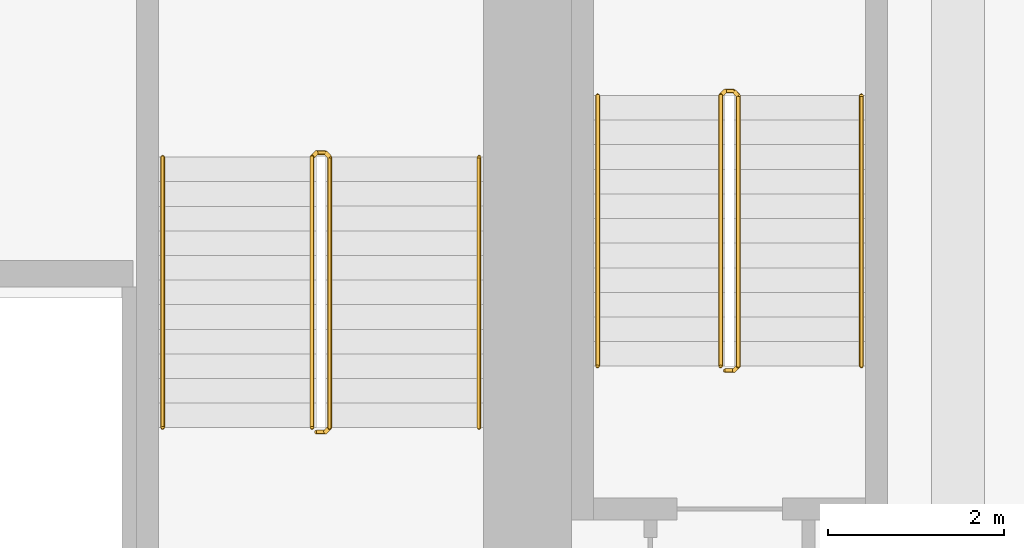
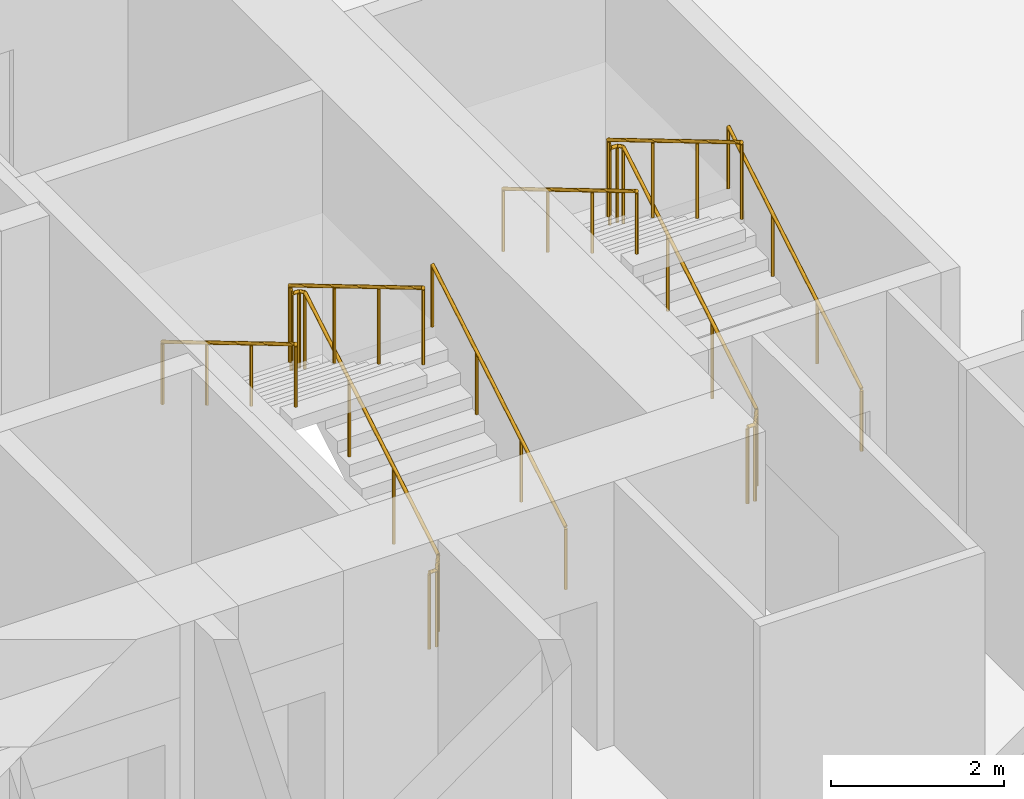
# One storey, part 20 of 20: 6 railings.
"""IFC4 building model written with IfcOpenShell, lengths in metres."""

from ifc_helpers import new_model, si_unit, direction, frame, origin, origin_2d, place, context, subcontext, project, spatial, circle, extrude, material, type_object, element, save


model = new_model("IFC4")

# Units and contexts
model_context = context("Model", 3, precision=1e-05, world=origin(), true_north=direction((0.0, 1.0)))
body_context = subcontext(model_context, "Body", "Model", "MODEL_VIEW")
ifc_project = project(units=[si_unit("LENGTHUNIT", "METRE"), si_unit("AREAUNIT", "SQUARE_METRE"), si_unit("VOLUMEUNIT", "CUBIC_METRE"), si_unit("PLANEANGLEUNIT", "RADIAN"), si_unit("MASSUNIT", "GRAM", prefix="KILO")], contexts=[model_context])

# Site, building, storey
site_placement = place(None, origin())
site = spatial("IfcSite", under=ifc_project, at=site_placement, CompositionType="ELEMENT")
building_placement = place(site_placement, origin())
building = spatial("IfcBuilding", under=site, at=building_placement, Name="Kilnfold Tower and Market Hall", CompositionType="ELEMENT")
storey_placement = place(building_placement, frame((0.0, 0.0, 63.199951171875)))
storey = spatial("IfcBuildingStorey", under=building, at=storey_placement, Name="L14", CompositionType="ELEMENT", Elevation=63.199951171875)

# Railings
ifc_material_1 = material(Name="Stainless steel 316", Category="steel")
railing_type_1 = type_object("IfcRailingType", Name="CORE STAIR GUARD 1100", PredefinedType="GUARDRAIL", material=ifc_material_1)
railing_1_placement = place(storey_placement, frame((15.199951171875, 10.75, 0.0)))
element("IfcRailing", 1, at=railing_1_placement, inside=storey, type_object=railing_type_1, Name="L14 ST2 stair guard 1", PredefinedType="GUARDRAIL", context=body_context, shape_type="SweptSolid", body=[
    extrude(circle(Radius=0.02392578125, at=origin_2d()), frame((0.0, 0.0, 1.076171875), z_axis=(1.0, 0.0, 0.0), x_axis=(0.0, 1.0, 0.0)), (0.0, 0.0, 1.0), 0.10009765625),
    extrude(circle(Radius=0.02392578125, at=origin_2d()), frame((0.10009765625, 0.0, 1.076171875), z_axis=(0.27628659633, 0.27628659633, 0.920506074601), x_axis=(-0.707106781187, 0.707106781187, 0.0)), (0.0, 0.0, 1.0), 0.18115234375),
    extrude(circle(Radius=0.02392578125, at=origin_2d()), frame((0.150146484375, 0.050048828125, 1.24267578125), z_axis=(0.0, 0.859290745958, 0.51148745235), x_axis=(-1.0, 0.0, 0.0)), (0.0, 0.0, 1.0), 3.584228515625),
    extrude(circle(Radius=0.02392578125, at=origin_2d()), frame((0.150146484375, 3.1298828125, 3.076171875), z_axis=(-0.707106781187, 0.707106781187, 0.0), x_axis=(-0.707106781187, -0.707106781187, 0.0)), (0.0, 0.0, 1.0), 0.07080078125),
    extrude(circle(Radius=0.02392578125, at=origin_2d()), frame((0.10009765625, 3.179931640625, 3.076171875), z_axis=(-1.0, 0.0, 0.0), x_axis=(0.0, -1.0, 0.0)), (0.0, 0.0, 1.0), 0.10009765625),
    extrude(circle(Radius=0.02392578125, at=origin_2d()), frame((0.0, 3.179931640625, 3.076171875), z_axis=(-0.27628659633, -0.27628659633, 0.920506074601), x_axis=(0.707106781187, -0.707106781187, 0.0)), (0.0, 0.0, 1.0), 0.18115234375),
    extrude(circle(Radius=0.02392578125, at=origin_2d()), frame((-0.050048828125, 3.1298828125, 3.24267578125), z_axis=(0.0, -0.859290745958, 0.51148745235), x_axis=(1.0, 0.0, 0.0)), (0.0, 0.0, 1.0), 3.584228515625),
    extrude(circle(Radius=0.02099609375, at=origin_2d()), origin(), (0.0, 0.0, 1.0), 1.052001953125),
    extrude(circle(Radius=0.02099609375, at=origin_2d()), frame((0.10009765625, 0.0, 0.0)), (0.0, 0.0, 1.0), 1.052001953125),
    extrude(circle(Radius=0.02099609375, at=origin_2d()), frame((0.150146484375, 0.050048828125, 0.166748046875)), (0.0, 0.0, 1.0), 1.052001953125),
    extrude(circle(Radius=0.02099609375, at=origin_2d()), frame((0.150146484375, 1.07666015625, 0.77783203125)), (0.0, 0.0, 1.0), 1.052001953125),
    extrude(circle(Radius=0.02099609375, at=origin_2d()), frame((0.150146484375, 2.103271484375, 1.388916015625)), (0.0, 0.0, 1.0), 1.052001953125),
    extrude(circle(Radius=0.02099609375, at=origin_2d()), frame((0.150146484375, 3.1298828125, 2.0)), (0.0, 0.0, 1.0), 1.052001953125),
    extrude(circle(Radius=0.02099609375, at=origin_2d()), frame((0.10009765625, 3.179931640625, 2.0)), (0.0, 0.0, 1.0), 1.052001953125),
    extrude(circle(Radius=0.02099609375, at=origin_2d()), frame((0.0, 3.179931640625, 2.0)), (0.0, 0.0, 1.0), 1.052001953125),
    extrude(circle(Radius=0.02099609375, at=origin_2d()), frame((-0.050048828125, 3.1298828125, 2.166748046875)), (0.0, 0.0, 1.0), 1.052001953125),
    extrude(circle(Radius=0.02099609375, at=origin_2d()), frame((-0.050048828125, 2.103271484375, 2.77783203125)), (0.0, 0.0, 1.0), 1.052001953125),
    extrude(circle(Radius=0.02099609375, at=origin_2d()), frame((-0.050048828125, 1.07666015625, 3.388916015625)), (0.0, 0.0, 1.0), 1.052001953125),
    extrude(circle(Radius=0.02099609375, at=origin_2d()), frame((-0.050048828125, 0.050048828125, 4.0)), (0.0, 0.0, 1.0), 1.052001953125),
])
railing_2_placement = place(storey_placement, frame((19.85009765625, 11.449951171875, 0.0)))
element("IfcRailing", 2, at=railing_2_placement, inside=storey, type_object=railing_type_1, Name="L14 ST5 stair guard 1", PredefinedType="GUARDRAIL", context=body_context, shape_type="SweptSolid", body=[
    extrude(circle(Radius=0.02392578125, at=origin_2d()), frame((0.0, 0.0, 1.076171875), z_axis=(1.0, 0.0, 0.0), x_axis=(0.0, 1.0, 0.0)), (0.0, 0.0, 1.0), 0.099853515625),
    extrude(circle(Radius=0.02392578125, at=origin_2d()), frame((0.099853515625, 0.0, 1.076171875), z_axis=(0.27628659633, 0.27628659633, 0.920506074601), x_axis=(-0.707106781187, 0.707106781187, 0.0)), (0.0, 0.0, 1.0), 0.18115234375),
    extrude(circle(Radius=0.02392578125, at=origin_2d()), frame((0.14990234375, 0.050048828125, 1.24267578125), z_axis=(0.0, 0.859308565015, 0.511457515432), x_axis=(-1.0, 0.0, 0.0)), (0.0, 0.0, 1.0), 3.58447265625),
    extrude(circle(Radius=0.02392578125, at=origin_2d()), frame((0.14990234375, 3.130126953125, 3.076171875), z_axis=(-0.708833529934, 0.705375805398, 0.0), x_axis=(-0.705375805398, -0.708833529934, 0.0)), (0.0, 0.0, 1.0), 0.070556640625),
    extrude(circle(Radius=0.02392578125, at=origin_2d()), frame((0.099853515625, 3.179931640625, 3.076171875), z_axis=(-1.0, 0.0, 0.0), x_axis=(0.0, -1.0, 0.0)), (0.0, 0.0, 1.0), 0.099853515625),
    extrude(circle(Radius=0.02392578125, at=origin_2d()), frame((0.0, 3.179931640625, 3.076171875), z_axis=(-0.276389281352, -0.275041040955, 0.920848191041), x_axis=(0.705375805398, -0.708833529934, 0.0)), (0.0, 0.0, 1.0), 0.18115234375),
    extrude(circle(Radius=0.02392578125, at=origin_2d()), frame((-0.050048828125, 3.130126953125, 3.24267578125), z_axis=(0.0, -0.859308565015, 0.511457515432), x_axis=(1.0, 0.0, 0.0)), (0.0, 0.0, 1.0), 3.58447265625),
    extrude(circle(Radius=0.02099609375, at=origin_2d()), origin(), (0.0, 0.0, 1.0), 1.052001953125),
    extrude(circle(Radius=0.02099609375, at=origin_2d()), frame((0.099853515625, 0.0, 0.0)), (0.0, 0.0, 1.0), 1.052001953125),
    extrude(circle(Radius=0.02099609375, at=origin_2d()), frame((0.14990234375, 0.050048828125, 0.166748046875)), (0.0, 0.0, 1.0), 1.052001953125),
    extrude(circle(Radius=0.02099609375, at=origin_2d()), frame((0.14990234375, 1.07666015625, 0.77783203125)), (0.0, 0.0, 1.0), 1.052001953125),
    extrude(circle(Radius=0.02099609375, at=origin_2d()), frame((0.14990234375, 2.103515625, 1.388916015625)), (0.0, 0.0, 1.0), 1.052001953125),
    extrude(circle(Radius=0.02099609375, at=origin_2d()), frame((0.14990234375, 3.130126953125, 2.0)), (0.0, 0.0, 1.0), 1.052001953125),
    extrude(circle(Radius=0.02099609375, at=origin_2d()), frame((0.099853515625, 3.179931640625, 2.0)), (0.0, 0.0, 1.0), 1.052001953125),
    extrude(circle(Radius=0.02099609375, at=origin_2d()), frame((0.0, 3.179931640625, 2.0)), (0.0, 0.0, 1.0), 1.052001953125),
    extrude(circle(Radius=0.02099609375, at=origin_2d()), frame((-0.050048828125, 3.130126953125, 2.166748046875)), (0.0, 0.0, 1.0), 1.052001953125),
    extrude(circle(Radius=0.02099609375, at=origin_2d()), frame((-0.050048828125, 2.103515625, 2.77783203125)), (0.0, 0.0, 1.0), 1.052001953125),
    extrude(circle(Radius=0.02099609375, at=origin_2d()), frame((-0.050048828125, 1.07666015625, 3.388916015625)), (0.0, 0.0, 1.0), 1.052001953125),
    extrude(circle(Radius=0.02099609375, at=origin_2d()), frame((-0.050048828125, 0.050048828125, 4.0)), (0.0, 0.0, 1.0), 1.052001953125),
])
ifc_material_2 = material(Name="Stainless steel 316", Category="steel")
railing_type_2 = type_object("IfcRailingType", Name="CORE STAIR HANDRAIL 900", PredefinedType="HANDRAIL", material=ifc_material_2)
railing_3_placement = place(storey_placement, frame((17.050048828125, 10.800048828125, 0.166748046875)))
element("IfcRailing", 3, at=railing_3_placement, inside=storey, type_object=railing_type_2, Name="L14 ST2 stair handrail 1", PredefinedType="HANDRAIL", context=body_context, shape_type="SweptSolid", body=[
    extrude(circle(Radius=0.02392578125, at=origin_2d()), frame((0.0, 0.0, 0.8759765625), z_axis=(0.0, 0.859290745958, 0.51148745235), x_axis=(-1.0, 0.0, 0.0)), (0.0, 0.0, 1.0), 3.584228515625),
    extrude(circle(Radius=0.02099609375, at=origin_2d()), origin(), (0.0, 0.0, 1.0), 0.851806640625),
    extrude(circle(Radius=0.02099609375, at=origin_2d()), frame((0.0, 1.026611328125, 0.611083984375)), (0.0, 0.0, 1.0), 0.851806640625),
    extrude(circle(Radius=0.02099609375, at=origin_2d()), frame((0.0, 2.05322265625, 1.22216796875)), (0.0, 0.0, 1.0), 0.851806640625),
    extrude(circle(Radius=0.02099609375, at=origin_2d()), frame((0.0, 3.079833984375, 1.833251953125)), (0.0, 0.0, 1.0), 0.851806640625),
])
railing_4_placement = place(storey_placement, frame((13.449951171875, 13.8798828125, 2.166748046875)))
element("IfcRailing", 4, at=railing_4_placement, inside=storey, type_object=railing_type_2, Name="L14 ST2 stair handrail 2", PredefinedType="HANDRAIL", context=body_context, shape_type="SweptSolid", body=[
    extrude(circle(Radius=0.02392578125, at=origin_2d()), frame((0.0, 0.0, 0.8759765625), z_axis=(0.0, -0.859290745958, 0.51148745235), x_axis=(1.0, 0.0, 0.0)), (0.0, 0.0, 1.0), 3.584228515625),
    extrude(circle(Radius=0.02099609375, at=origin_2d()), origin(), (0.0, 0.0, 1.0), 0.851806640625),
    extrude(circle(Radius=0.02099609375, at=origin_2d()), frame((0.0, -1.026611328125, 0.611083984375)), (0.0, 0.0, 1.0), 0.851806640625),
    extrude(circle(Radius=0.02099609375, at=origin_2d()), frame((0.0, -2.05322265625, 1.22216796875)), (0.0, 0.0, 1.0), 0.851806640625),
    extrude(circle(Radius=0.02099609375, at=origin_2d()), frame((0.0, -3.079833984375, 1.833251953125)), (0.0, 0.0, 1.0), 0.851806640625),
])
railing_5_placement = place(storey_placement, frame((21.39990234375, 11.5, 0.166748046875)))
element("IfcRailing", 5, at=railing_5_placement, inside=storey, type_object=railing_type_2, Name="L14 ST5 stair handrail 1", PredefinedType="HANDRAIL", context=body_context, shape_type="SweptSolid", body=[
    extrude(circle(Radius=0.02392578125, at=origin_2d()), frame((0.0, 0.0, 0.8759765625), z_axis=(0.0, 0.859308565015, 0.511457515432), x_axis=(-1.0, 0.0, 0.0)), (0.0, 0.0, 1.0), 3.58447265625),
    extrude(circle(Radius=0.02099609375, at=origin_2d()), origin(), (0.0, 0.0, 1.0), 0.851806640625),
    extrude(circle(Radius=0.02099609375, at=origin_2d()), frame((0.0, 1.026611328125, 0.611083984375)), (0.0, 0.0, 1.0), 0.851806640625),
    extrude(circle(Radius=0.02099609375, at=origin_2d()), frame((0.0, 2.053466796875, 1.22216796875)), (0.0, 0.0, 1.0), 0.851806640625),
    extrude(circle(Radius=0.02099609375, at=origin_2d()), frame((0.0, 3.080078125, 1.833251953125)), (0.0, 0.0, 1.0), 0.851806640625),
])
railing_6_placement = place(storey_placement, frame((18.39990234375, 14.580078125, 2.166748046875)))
element("IfcRailing", 6, at=railing_6_placement, inside=storey, type_object=railing_type_2, Name="L14 ST5 stair handrail 2", PredefinedType="HANDRAIL", context=body_context, shape_type="SweptSolid", body=[
    extrude(circle(Radius=0.02392578125, at=origin_2d()), frame((0.0, 0.0, 0.8759765625), z_axis=(0.0, -0.859308565015, 0.511457515432), x_axis=(1.0, 0.0, 0.0)), (0.0, 0.0, 1.0), 3.58447265625),
    extrude(circle(Radius=0.02099609375, at=origin_2d()), origin(), (0.0, 0.0, 1.0), 0.851806640625),
    extrude(circle(Radius=0.02099609375, at=origin_2d()), frame((0.0, -1.026611328125, 0.611083984375)), (0.0, 0.0, 1.0), 0.851806640625),
    extrude(circle(Radius=0.02099609375, at=origin_2d()), frame((0.0, -2.053466796875, 1.22216796875)), (0.0, 0.0, 1.0), 0.851806640625),
    extrude(circle(Radius=0.02099609375, at=origin_2d()), frame((0.0, -3.080078125, 1.833251953125)), (0.0, 0.0, 1.0), 0.851806640625),
])

save(model, "model.ifc")
